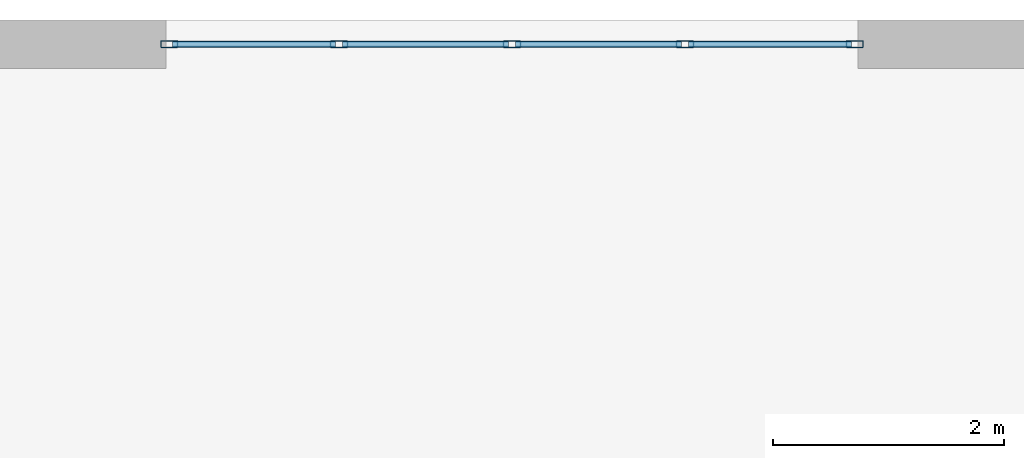
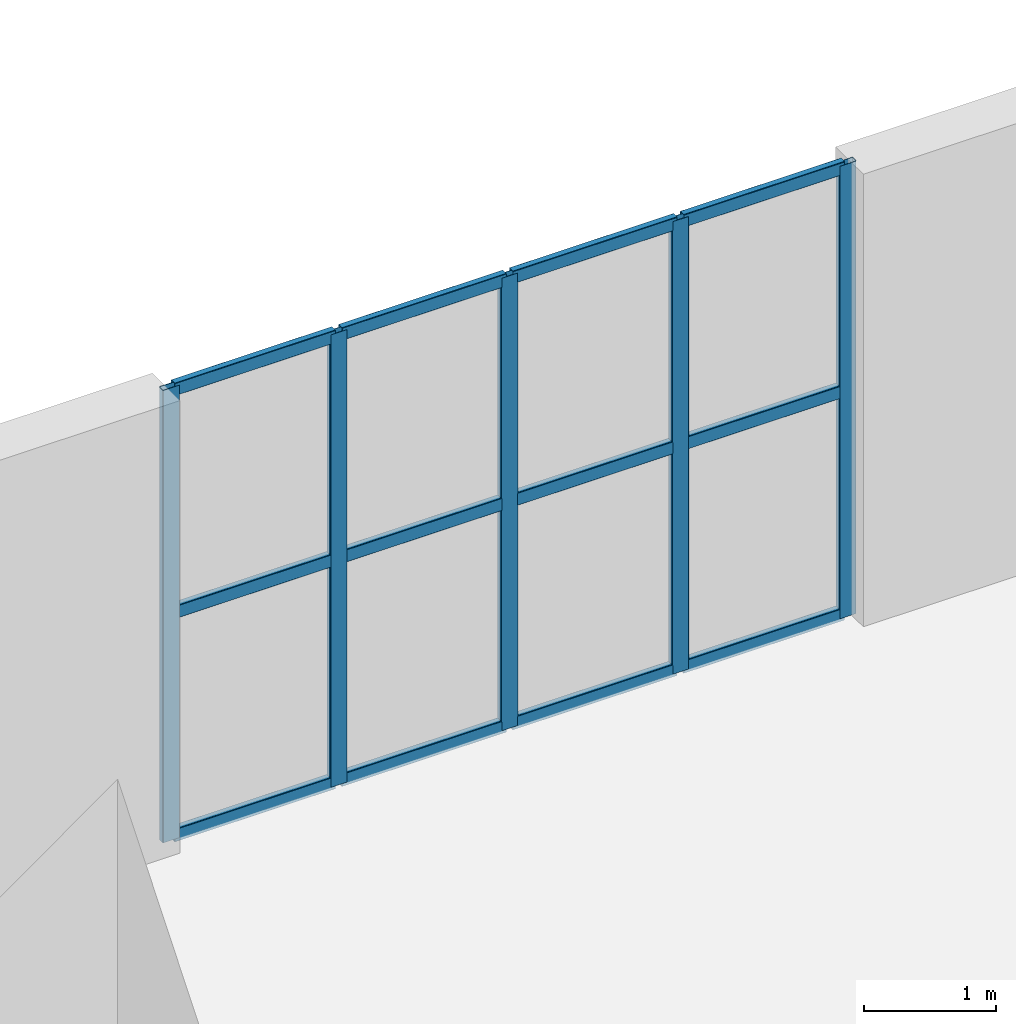
# One storey, part 4 of 14: 17 members, 1 element without a shape of its own.
"""IFC4 building model written with IfcOpenShell, lengths in metres."""

from ifc_helpers import new_model, entity, si_unit, converted_unit, direction, frame, origin_with_axes, origin_2d_with_axis, place, context, subcontext, project, spatial, hollow_rectangle, extrude, material, material_profile, profile_set, type_object, element, aggregate, save


model = new_model("IFC4")

# Units and contexts
model_context = context("Model", 3, precision=1e-05, world=origin_with_axes(), true_north=direction((0.0, 1.0)))
body_context = subcontext(model_context, "Body", "Model", "MODEL_VIEW")
ifc_project = project(units=[si_unit("LENGTHUNIT", "METRE"), si_unit("AREAUNIT", "SQUARE_METRE"), si_unit("VOLUMEUNIT", "CUBIC_METRE"), converted_unit("PLANEANGLEUNIT", "DEGREE", entity("IfcPlaneAngleMeasure", 0.017453292519943295), si_unit("PLANEANGLEUNIT", "RADIAN"), dimensions=[0, 0, 0, 0, 0, 0, 0]), si_unit("MASSUNIT", "GRAM", prefix="KILO"), si_unit("THERMODYNAMICTEMPERATUREUNIT", "KELVIN")], contexts=[model_context])

# Site, building, storey
site_placement = place(None, origin_with_axes())
site = spatial("IfcSite", under=ifc_project, at=site_placement, CompositionType="ELEMENT")
building_placement = place(site_placement, origin_with_axes())
building = spatial("IfcBuilding", under=site, at=building_placement, Name="Varnlund Millrace Tower", CompositionType="ELEMENT")
storey_placement = place(building_placement, frame((0.0, 0.0, 24.3), z_axis=(0.0, 0.0, 1.0), x_axis=(1.0, 0.0, 0.0)))
storey = spatial("IfcBuildingStorey", under=building, at=storey_placement, Name="L05", CompositionType="ELEMENT", Elevation=24.3)

# Curtain wall, members
ifc_material_1 = material(Name="Thermally broken architectural bronze curtain wall", Category="aluminium")
curtain_wall_type = type_object("IfcCurtainWallType", Name="Type-CW-Sys4-SkyLobby1", PredefinedType="NOTDEFINED", material=ifc_material_1)
curtain_wall_placement = place(storey_placement, frame((21.3, 48.39, 0.0), z_axis=(0.0, 0.0, 1.0), x_axis=(1.0, 0.0, 0.0)))
curtain_wall = element("IfcCurtainWall", 1, at=curtain_wall_placement, inside=storey, type_object=curtain_wall_type, Name="Type-CW-Sys4-SkyLobby1", PredefinedType="NOTDEFINED")
ifc_material_2 = material(Name="Architectural bronze aluminium alloy 6063-T6", Category="aluminium")
ifc_material_profile_1 = material_profile(ifc_material_2, hollow_rectangle(XDim=0.06, YDim=0.15, WallThickness=0.004, InnerFilletRadius=0.004, OuterFilletRadius=0.008, at=origin_2d_with_axis()), Name="Architectural bronze aluminium alloy 6063-T6")
ifc_profile_set_1 = profile_set([ifc_material_profile_1], Name="Architectural bronze aluminium alloy 6063-T6")
member_type_1 = type_object("IfcMemberType", Name="Type-CW-Mullion-60X150", PredefinedType="MULLION", material=ifc_profile_set_1)
member_1_placement = place(storey_placement, frame((21.33, 48.39, 0.0), z_axis=(0.0, 0.0, 1.0), x_axis=(0.0, 1.0, 0.0)))
member_1 = element("IfcMember", 2, at=member_1_placement, type_object=member_type_1, Name="CW-04 mullion 1", PredefinedType="MULLION", context=body_context, shape_type="SweptSolid", body=[
    extrude(hollow_rectangle(XDim=0.06, YDim=0.15, WallThickness=0.004, InnerFilletRadius=0.004, OuterFilletRadius=0.008, at=origin_2d_with_axis()), origin_with_axes(), (0.0, 0.0, 1.0), 4.2),
])
member_2_placement = place(storey_placement, frame((22.8, 48.39, 0.0), z_axis=(0.0, 0.0, 1.0), x_axis=(0.0, 1.0, 0.0)))
member_2 = element("IfcMember", 3, at=member_2_placement, type_object=member_type_1, Name="CW-04 mullion 2", PredefinedType="MULLION", context=body_context, shape_type="SweptSolid", body=[
    extrude(hollow_rectangle(XDim=0.06, YDim=0.15, WallThickness=0.004, InnerFilletRadius=0.004, OuterFilletRadius=0.008, at=origin_2d_with_axis()), origin_with_axes(), (0.0, 0.0, 1.0), 4.2),
])
member_3_placement = place(storey_placement, frame((24.3, 48.39, 0.0), z_axis=(0.0, 0.0, 1.0), x_axis=(0.0, 1.0, 0.0)))
member_3 = element("IfcMember", 4, at=member_3_placement, type_object=member_type_1, Name="CW-04 mullion 3", PredefinedType="MULLION", context=body_context, shape_type="SweptSolid", body=[
    extrude(hollow_rectangle(XDim=0.06, YDim=0.15, WallThickness=0.004, InnerFilletRadius=0.004, OuterFilletRadius=0.008, at=origin_2d_with_axis()), origin_with_axes(), (0.0, 0.0, 1.0), 4.2),
])
member_4_placement = place(storey_placement, frame((25.8, 48.39, 0.0), z_axis=(0.0, 0.0, 1.0), x_axis=(0.0, 1.0, 0.0)))
member_4 = element("IfcMember", 5, at=member_4_placement, type_object=member_type_1, Name="CW-04 mullion 4", PredefinedType="MULLION", context=body_context, shape_type="SweptSolid", body=[
    extrude(hollow_rectangle(XDim=0.06, YDim=0.15, WallThickness=0.004, InnerFilletRadius=0.004, OuterFilletRadius=0.008, at=origin_2d_with_axis()), origin_with_axes(), (0.0, 0.0, 1.0), 4.2),
])
member_5_placement = place(storey_placement, frame((27.27, 48.39, 0.0), z_axis=(0.0, 0.0, 1.0), x_axis=(0.0, 1.0, 0.0)))
member_5 = element("IfcMember", 6, at=member_5_placement, type_object=member_type_1, Name="CW-04 mullion 5", PredefinedType="MULLION", context=body_context, shape_type="SweptSolid", body=[
    extrude(hollow_rectangle(XDim=0.06, YDim=0.15, WallThickness=0.004, InnerFilletRadius=0.004, OuterFilletRadius=0.008, at=origin_2d_with_axis()), origin_with_axes(), (0.0, 0.0, 1.0), 4.2),
])
ifc_material_profile_2 = material_profile(ifc_material_2, hollow_rectangle(XDim=0.06, YDim=0.12, WallThickness=0.004, InnerFilletRadius=0.004, OuterFilletRadius=0.008, at=origin_2d_with_axis()), Name="Architectural bronze aluminium alloy 6063-T6")
ifc_profile_set_2 = profile_set([ifc_material_profile_2], Name="Architectural bronze aluminium alloy 6063-T6")
member_type_2 = type_object("IfcMemberType", Name="Type-CW-Transom-60X120", PredefinedType="USERDEFINED", material=ifc_profile_set_2)
member_6_placement = place(storey_placement, frame((21.36, 48.39, 0.03), z_axis=(1.0, 0.0, 0.0), x_axis=(0.0, 1.0, 0.0)))
member_6 = element("IfcMember", 7, at=member_6_placement, type_object=member_type_2, Name="CW-04 transom 1.1", ObjectType="TRANSOM", PredefinedType="USERDEFINED", context=body_context, shape_type="SweptSolid", body=[
    extrude(hollow_rectangle(XDim=0.06, YDim=0.12, WallThickness=0.004, InnerFilletRadius=0.004, OuterFilletRadius=0.008, at=origin_2d_with_axis()), origin_with_axes(), (0.0, 0.0, 1.0), 1.41),
])
member_7_placement = place(storey_placement, frame((21.36, 48.39, 2.1), z_axis=(1.0, 0.0, 0.0), x_axis=(0.0, 1.0, 0.0)))
member_7 = element("IfcMember", 8, at=member_7_placement, type_object=member_type_2, Name="CW-04 transom 1.2", ObjectType="TRANSOM", PredefinedType="USERDEFINED", context=body_context, shape_type="SweptSolid", body=[
    extrude(hollow_rectangle(XDim=0.06, YDim=0.12, WallThickness=0.004, InnerFilletRadius=0.004, OuterFilletRadius=0.008, at=origin_2d_with_axis()), origin_with_axes(), (0.0, 0.0, 1.0), 1.41),
])
member_8_placement = place(storey_placement, frame((21.36, 48.39, 4.17), z_axis=(1.0, 0.0, 0.0), x_axis=(0.0, 1.0, 0.0)))
member_8 = element("IfcMember", 9, at=member_8_placement, type_object=member_type_2, Name="CW-04 transom 1.3", ObjectType="TRANSOM", PredefinedType="USERDEFINED", context=body_context, shape_type="SweptSolid", body=[
    extrude(hollow_rectangle(XDim=0.06, YDim=0.12, WallThickness=0.004, InnerFilletRadius=0.004, OuterFilletRadius=0.008, at=origin_2d_with_axis()), origin_with_axes(), (0.0, 0.0, 1.0), 1.41),
])
member_9_placement = place(storey_placement, frame((22.83, 48.39, 0.03), z_axis=(1.0, 0.0, 0.0), x_axis=(0.0, 1.0, 0.0)))
member_9 = element("IfcMember", 10, at=member_9_placement, type_object=member_type_2, Name="CW-04 transom 2.1", ObjectType="TRANSOM", PredefinedType="USERDEFINED", context=body_context, shape_type="SweptSolid", body=[
    extrude(hollow_rectangle(XDim=0.06, YDim=0.12, WallThickness=0.004, InnerFilletRadius=0.004, OuterFilletRadius=0.008, at=origin_2d_with_axis()), origin_with_axes(), (0.0, 0.0, 1.0), 1.44),
])
member_10_placement = place(storey_placement, frame((22.83, 48.39, 2.1), z_axis=(1.0, 0.0, 0.0), x_axis=(0.0, 1.0, 0.0)))
member_10 = element("IfcMember", 11, at=member_10_placement, type_object=member_type_2, Name="CW-04 transom 2.2", ObjectType="TRANSOM", PredefinedType="USERDEFINED", context=body_context, shape_type="SweptSolid", body=[
    extrude(hollow_rectangle(XDim=0.06, YDim=0.12, WallThickness=0.004, InnerFilletRadius=0.004, OuterFilletRadius=0.008, at=origin_2d_with_axis()), origin_with_axes(), (0.0, 0.0, 1.0), 1.44),
])
member_11_placement = place(storey_placement, frame((22.83, 48.39, 4.17), z_axis=(1.0, 0.0, 0.0), x_axis=(0.0, 1.0, 0.0)))
member_11 = element("IfcMember", 12, at=member_11_placement, type_object=member_type_2, Name="CW-04 transom 2.3", ObjectType="TRANSOM", PredefinedType="USERDEFINED", context=body_context, shape_type="SweptSolid", body=[
    extrude(hollow_rectangle(XDim=0.06, YDim=0.12, WallThickness=0.004, InnerFilletRadius=0.004, OuterFilletRadius=0.008, at=origin_2d_with_axis()), origin_with_axes(), (0.0, 0.0, 1.0), 1.44),
])
member_12_placement = place(storey_placement, frame((24.33, 48.39, 0.03), z_axis=(1.0, 0.0, 0.0), x_axis=(0.0, 1.0, 0.0)))
member_12 = element("IfcMember", 13, at=member_12_placement, type_object=member_type_2, Name="CW-04 transom 3.1", ObjectType="TRANSOM", PredefinedType="USERDEFINED", context=body_context, shape_type="SweptSolid", body=[
    extrude(hollow_rectangle(XDim=0.06, YDim=0.12, WallThickness=0.004, InnerFilletRadius=0.004, OuterFilletRadius=0.008, at=origin_2d_with_axis()), origin_with_axes(), (0.0, 0.0, 1.0), 1.44),
])
member_13_placement = place(storey_placement, frame((24.33, 48.39, 2.1), z_axis=(1.0, 0.0, 0.0), x_axis=(0.0, 1.0, 0.0)))
member_13 = element("IfcMember", 14, at=member_13_placement, type_object=member_type_2, Name="CW-04 transom 3.2", ObjectType="TRANSOM", PredefinedType="USERDEFINED", context=body_context, shape_type="SweptSolid", body=[
    extrude(hollow_rectangle(XDim=0.06, YDim=0.12, WallThickness=0.004, InnerFilletRadius=0.004, OuterFilletRadius=0.008, at=origin_2d_with_axis()), origin_with_axes(), (0.0, 0.0, 1.0), 1.44),
])
member_14_placement = place(storey_placement, frame((24.33, 48.39, 4.17), z_axis=(1.0, 0.0, 0.0), x_axis=(0.0, 1.0, 0.0)))
member_14 = element("IfcMember", 15, at=member_14_placement, type_object=member_type_2, Name="CW-04 transom 3.3", ObjectType="TRANSOM", PredefinedType="USERDEFINED", context=body_context, shape_type="SweptSolid", body=[
    extrude(hollow_rectangle(XDim=0.06, YDim=0.12, WallThickness=0.004, InnerFilletRadius=0.004, OuterFilletRadius=0.008, at=origin_2d_with_axis()), origin_with_axes(), (0.0, 0.0, 1.0), 1.44),
])
member_15_placement = place(storey_placement, frame((25.83, 48.39, 0.03), z_axis=(1.0, 0.0, 0.0), x_axis=(0.0, 1.0, 0.0)))
member_15 = element("IfcMember", 16, at=member_15_placement, type_object=member_type_2, Name="CW-04 transom 4.1", ObjectType="TRANSOM", PredefinedType="USERDEFINED", context=body_context, shape_type="SweptSolid", body=[
    extrude(hollow_rectangle(XDim=0.06, YDim=0.12, WallThickness=0.004, InnerFilletRadius=0.004, OuterFilletRadius=0.008, at=origin_2d_with_axis()), origin_with_axes(), (0.0, 0.0, 1.0), 1.41),
])
member_16_placement = place(storey_placement, frame((25.83, 48.39, 2.1), z_axis=(1.0, 0.0, 0.0), x_axis=(0.0, 1.0, 0.0)))
member_16 = element("IfcMember", 17, at=member_16_placement, type_object=member_type_2, Name="CW-04 transom 4.2", ObjectType="TRANSOM", PredefinedType="USERDEFINED", context=body_context, shape_type="SweptSolid", body=[
    extrude(hollow_rectangle(XDim=0.06, YDim=0.12, WallThickness=0.004, InnerFilletRadius=0.004, OuterFilletRadius=0.008, at=origin_2d_with_axis()), origin_with_axes(), (0.0, 0.0, 1.0), 1.41),
])
member_17_placement = place(storey_placement, frame((25.83, 48.39, 4.17), z_axis=(1.0, 0.0, 0.0), x_axis=(0.0, 1.0, 0.0)))
member_17 = element("IfcMember", 18, at=member_17_placement, type_object=member_type_2, Name="CW-04 transom 4.3", ObjectType="TRANSOM", PredefinedType="USERDEFINED", context=body_context, shape_type="SweptSolid", body=[
    extrude(hollow_rectangle(XDim=0.06, YDim=0.12, WallThickness=0.004, InnerFilletRadius=0.004, OuterFilletRadius=0.008, at=origin_2d_with_axis()), origin_with_axes(), (0.0, 0.0, 1.0), 1.41),
])
aggregate(curtain_wall, [member_1, member_2, member_3, member_4, member_5, member_6, member_7, member_8, member_9, member_10, member_11, member_12, member_13, member_14, member_15, member_16, member_17])

save(model, "model.ifc")
